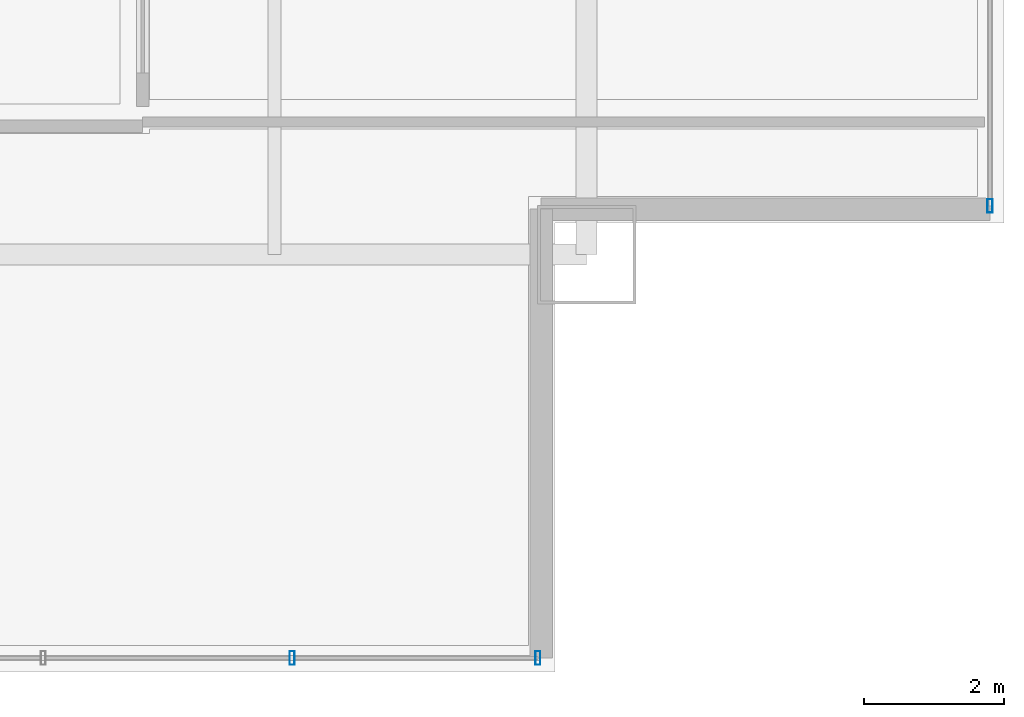
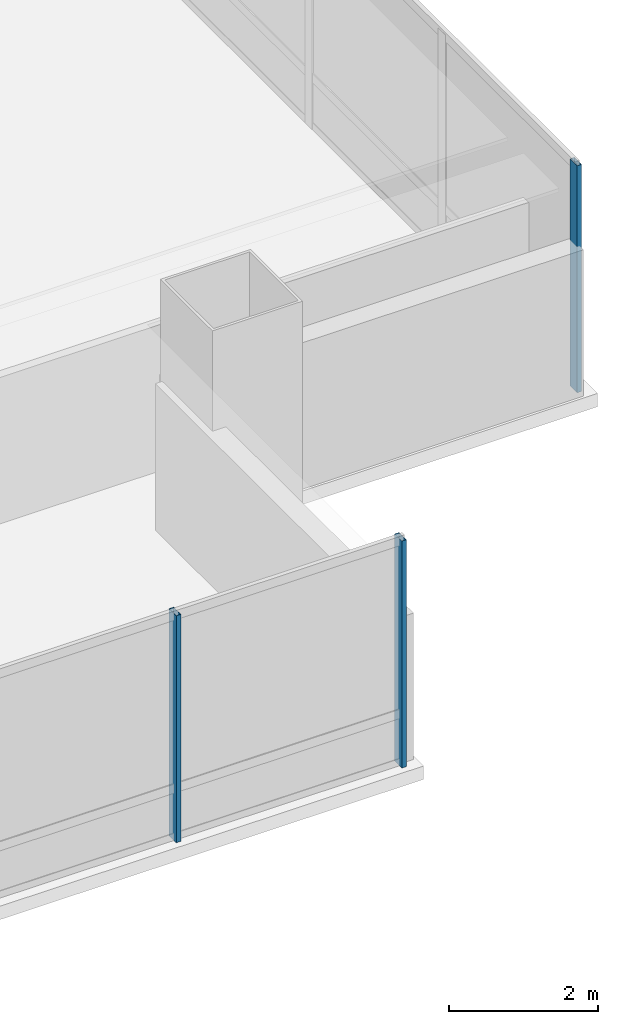
# One storey, part 14 of 35: 3 members, 2 elements without a shape of their own.
"""IFC4 building model written with IfcOpenShell, lengths in metres."""

from ifc_helpers import new_model, si_unit, direction, frame, origin, origin_2d, place, context, subcontext, project, spatial, hollow_rectangle, extrude, material, material_profile, profile_set, type_object, element, aggregate, save


model = new_model("IFC4")

# Units and contexts
model_context = context("Model", 3, precision=1e-05, world=origin(), true_north=direction((0.0, 1.0)))
body_context = subcontext(model_context, "Body", "Model", "MODEL_VIEW")
ifc_project = project(units=[si_unit("LENGTHUNIT", "METRE"), si_unit("AREAUNIT", "SQUARE_METRE"), si_unit("VOLUMEUNIT", "CUBIC_METRE"), si_unit("PLANEANGLEUNIT", "RADIAN"), si_unit("MASSUNIT", "GRAM", prefix="KILO")], contexts=[model_context])

# Site, building, storey
site_placement = place(None, origin())
site = spatial("IfcSite", under=ifc_project, at=site_placement, CompositionType="ELEMENT")
building_placement = place(site_placement, origin())
building = spatial("IfcBuilding", under=site, at=building_placement, Name="Punatoya Terracotta Tower", CompositionType="ELEMENT")
storey_placement = place(building_placement, frame((0.0, 0.0, 232.949951171875)))
storey = spatial("IfcBuildingStorey", under=building, at=storey_placement, Name="L55", CompositionType="ELEMENT", Elevation=232.949951171875)

# Curtain wall, members
ifc_material_1 = material(Name="Aluminium 6063-T6 + Double Low-E Glass", Category="aluminium")
curtain_wall_type = type_object("IfcCurtainWallType", Name="CW-M2", PredefinedType="NOTDEFINED", material=ifc_material_1)
curtain_wall_1_placement = place(storey_placement, origin())
curtain_wall_1 = element("IfcCurtainWall", 1, at=curtain_wall_1_placement, inside=storey, type_object=curtain_wall_type, Name="L55 Curtain Wall CW-L55-S01-1", PredefinedType="NOTDEFINED")
ifc_material_2 = material(Name="Aluminium 6063-T6", Category="aluminium")
ifc_material_profile = material_profile(ifc_material_2, hollow_rectangle(XDim=0.072021484375, YDim=0.195068359375, WallThickness=0.00439453125, at=origin_2d()))
ifc_profile_set = profile_set([ifc_material_profile], Name="Aluminium 6063-T6")
member_type = type_object("IfcMemberType", Name="CW-MUL-M2", PredefinedType="MULLION", material=ifc_profile_set)
member_1_placement = place(storey_placement, frame((14.9013671875, -23.25, 0.0), z_axis=(0.0, 0.0, 1.0), x_axis=(1.0, 0.0, 0.0)))
member_1 = element("IfcMember", 2, at=member_1_placement, type_object=member_type, Name="CW-L55-S01-1 Mullion 09", PredefinedType="MULLION", context=body_context, shape_type="SweptSolid", body=[
    extrude(hollow_rectangle(XDim=0.072021484375, YDim=0.195068359375, WallThickness=0.00439453125, at=origin_2d()), origin(), (0.0, 0.0, 1.0), 3.72998046875),
])
member_2_placement = place(storey_placement, frame((18.405029296875, -23.25, 0.0), z_axis=(0.0, 0.0, 1.0), x_axis=(1.0, 0.0, 0.0)))
member_2 = element("IfcMember", 3, at=member_2_placement, type_object=member_type, Name="CW-L55-S01-1 Mullion 10", PredefinedType="MULLION", context=body_context, shape_type="SweptSolid", body=[
    extrude(hollow_rectangle(XDim=0.072021484375, YDim=0.195068359375, WallThickness=0.00439453125, at=origin_2d()), origin(), (0.0, 0.0, 1.0), 3.72998046875),
])
aggregate(curtain_wall_1, [member_1, member_2])

# Curtain wall, member
curtain_wall_2_placement = place(storey_placement, origin())
curtain_wall_2 = element("IfcCurtainWall", 4, at=curtain_wall_2_placement, inside=storey, type_object=curtain_wall_type, Name="L55 Curtain Wall CW-L55-E04-1", PredefinedType="NOTDEFINED")
member_3_placement = place(storey_placement, frame((24.85009765625, -16.804931640625, 0.0), z_axis=(0.0, 0.0, 1.0), x_axis=(1.0, 0.0, 0.0)))
member_3 = element("IfcMember", 5, at=member_3_placement, type_object=member_type, Name="CW-L55-E04-1 Mullion 00", PredefinedType="MULLION", context=body_context, shape_type="SweptSolid", body=[
    extrude(hollow_rectangle(XDim=0.072021484375, YDim=0.195068359375, WallThickness=0.00439453125, at=origin_2d()), origin(), (0.0, 0.0, 1.0), 3.72998046875),
])
aggregate(curtain_wall_2, [member_3])

save(model, "model.ifc")
